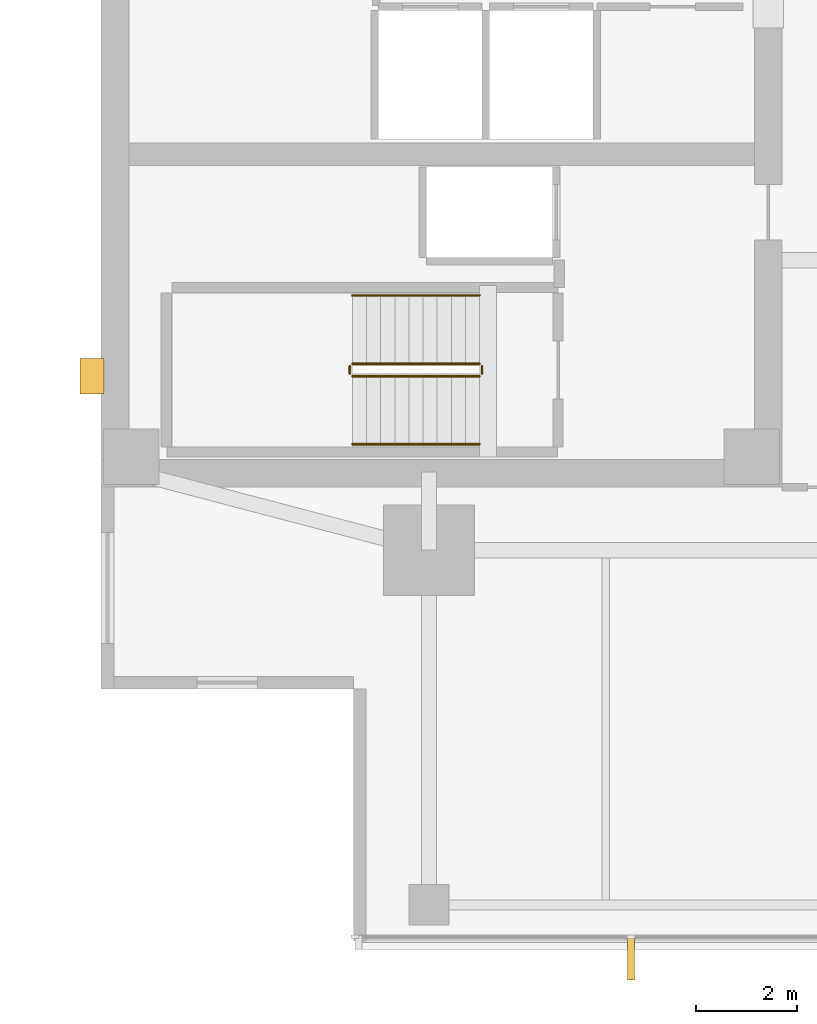
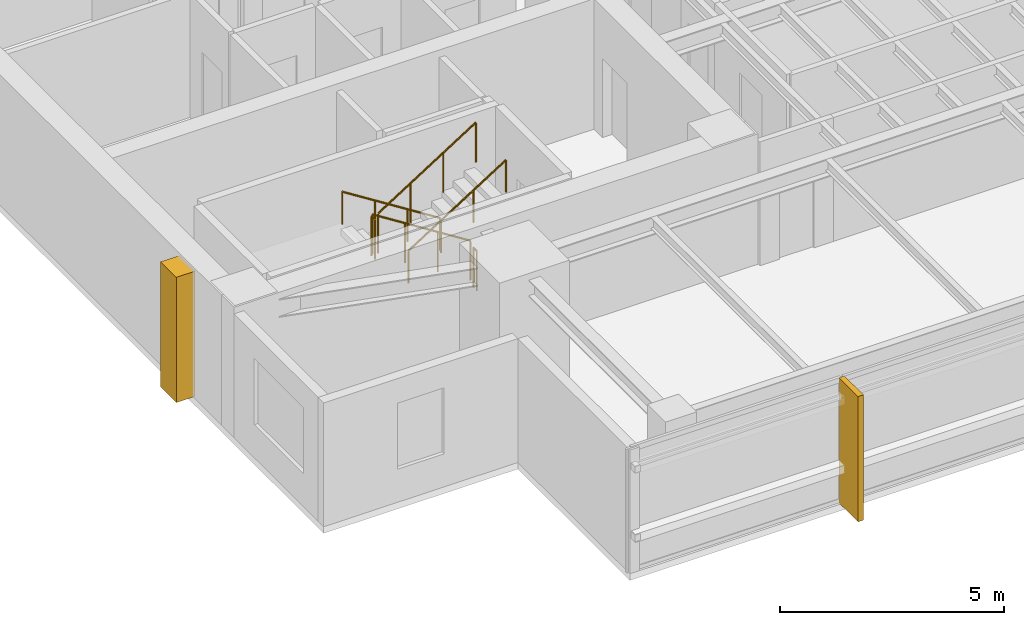
# One storey, part 11 of 15: 6 railings, 2 coverings.
"""IFC4 building model written with IfcOpenShell, lengths in metres."""

from ifc_helpers import new_model, si_unit, direction, frame, origin, origin_2d, place, context, subcontext, project, spatial, polyline, circle, outline, extrude, material, layer, layer_set, type_object, element, save


model = new_model("IFC4")

# Units and contexts
model_context = context("Model", 3, precision=1e-05, world=origin(), true_north=direction((0.0, 1.0)))
body_context = subcontext(model_context, "Body", "Model", "MODEL_VIEW")
ifc_project = project(units=[si_unit("LENGTHUNIT", "METRE"), si_unit("AREAUNIT", "SQUARE_METRE"), si_unit("VOLUMEUNIT", "CUBIC_METRE"), si_unit("PLANEANGLEUNIT", "RADIAN"), si_unit("MASSUNIT", "GRAM", prefix="KILO")], contexts=[model_context])

# Site, building, storey
site_placement = place(None, origin())
site = spatial("IfcSite", under=ifc_project, at=site_placement, CompositionType="ELEMENT")
building_placement = place(site_placement, origin())
building = spatial("IfcBuilding", under=site, at=building_placement, Name="Kinhvarn Gate Tower", CompositionType="ELEMENT")
storey_placement = place(building_placement, frame((0.0, 0.0, 220.0)))
storey = spatial("IfcBuildingStorey", under=building, at=storey_placement, Name="L58", CompositionType="ELEMENT", Elevation=220.0)

# Coverings
ifc_material_1 = material(Name="Fired architectural terracotta", Category="masonry")
ifc_layer_1 = layer(ifc_material_1, 0.139892578125)
ifc_layer_set_1 = layer_set([ifc_layer_1], Name="Fired architectural terracotta")
covering_type_1 = type_object("IfcCoveringType", Name="COV-FIN-850", PredefinedType="CLADDING", material=ifc_layer_set_1)
covering_1_placement = place(storey_placement, frame((0.0, 0.0, -0.02001953125)))
element("IfcCovering", 1, at=covering_1_placement, inside=storey, type_object=covering_type_1, Name="Vertical Terracotta Expressive Fin TFN-850 (L58)", PredefinedType="CLADDING", context=body_context, shape_type="SweptSolid", body=[
    extrude(outline(polyline([(14.929931640625, 5.080078125), (15.070068359375, 5.080078125), (15.070068359375, 4.22998046875), (14.929931640625, 4.22998046875), (14.929931640625, 5.080078125)])), origin(), (0.0, 0.0, 1.0), 3.409912109375),
])
ifc_material_2 = material(Name="Precast white architectural concrete C40/50", Category="concrete")
ifc_layer_2 = layer(ifc_material_2, 0.47998046875)
ifc_layer_set_2 = layer_set([ifc_layer_2], Name="Precast white architectural concrete C40/50")
covering_type_2 = type_object("IfcCoveringType", Name="COV-RIB-450", PredefinedType="CLADDING", material=ifc_layer_set_2)
covering_2_placement = place(storey_placement, frame((0.0, 0.0, -0.02001953125)))
element("IfcCovering", 2, at=covering_2_placement, inside=storey, type_object=covering_type_2, Name="West Core Sculptural Concrete Relief Rib CRB-450 (L58)", PredefinedType="CLADDING", context=body_context, shape_type="SweptSolid", body=[
    extrude(outline(polyline([(4.080078125, 15.85009765625), (4.56005859375, 15.85009765625), (4.56005859375, 16.550048828125), (4.080078125, 16.550048828125), (4.080078125, 15.85009765625)])), origin(), (0.0, 0.0, 1.0), 3.409912109375),
])

# Railings
ifc_material_3 = material(Name="Steel S355", Category="steel")
railing_type_1 = type_object("IfcRailingType", Name="RL-ST-GRD", PredefinedType="BALUSTRADE", material=ifc_material_3)
railing_1_placement = place(storey_placement, frame((12.0, 16.449951171875, 0.177490234375)))
element("IfcRailing", 3, at=railing_1_placement, inside=storey, type_object=railing_type_1, Name="L58 ST1 stair guard 1", PredefinedType="BALUSTRADE", context=body_context, shape_type="SweptSolid", body=[
    extrude(circle(Radius=0.02392578125, at=origin_2d()), frame((0.0, 0.0, 1.076171875), z_axis=(-0.84460694969, 0.0, 0.535386869969), x_axis=(0.0, -1.0, 0.0)), (0.0, 0.0, 1.0), 2.983642578125),
    extrude(circle(Radius=0.02099609375, at=origin_2d()), origin(), (0.0, 0.0, 1.0), 1.052001953125),
    extrude(circle(Radius=0.02099609375, at=origin_2d()), frame((-0.840087890625, 0.0, 0.532470703125)), (0.0, 0.0, 1.0), 1.052001953125),
    extrude(circle(Radius=0.02099609375, at=origin_2d()), frame((-1.679931640625, 0.0, 1.06494140625)), (0.0, 0.0, 1.0), 1.052001953125),
    extrude(circle(Radius=0.02099609375, at=origin_2d()), frame((-2.52001953125, 0.0, 1.597412109375)), (0.0, 0.0, 1.0), 1.052001953125),
])
railing_2_placement = place(storey_placement, frame((9.429931640625, 16.39990234375, 1.77490234375)))
element("IfcRailing", 4, at=railing_2_placement, inside=storey, type_object=railing_type_1, Name="L58 ST1 stair guard 2", PredefinedType="BALUSTRADE", context=body_context, shape_type="SweptSolid", body=[
    extrude(circle(Radius=0.02392578125, at=origin_2d()), frame((0.0, 0.0, 1.076171875), z_axis=(0.0, -1.0, 0.0), x_axis=(1.0, 0.0, 0.0)), (0.0, 0.0, 1.0), 0.14990234375),
    extrude(circle(Radius=0.02099609375, at=origin_2d()), origin(), (0.0, 0.0, 1.0), 1.052001953125),
    extrude(circle(Radius=0.02099609375, at=origin_2d()), frame((0.0, -0.14990234375, 0.0)), (0.0, 0.0, 1.0), 1.052001953125),
])
railing_3_placement = place(storey_placement, frame((9.47998046875, 16.199951171875, 1.952392578125)))
element("IfcRailing", 5, at=railing_3_placement, inside=storey, type_object=railing_type_1, Name="L58 ST1 stair guard 3", PredefinedType="BALUSTRADE", context=body_context, shape_type="SweptSolid", body=[
    extrude(circle(Radius=0.02392578125, at=origin_2d()), frame((0.0, 0.0, 1.076171875), z_axis=(0.84456994832, 0.0, 0.535445237532), x_axis=(0.0, 1.0, 0.0)), (0.0, 0.0, 1.0), 2.98388671875),
    extrude(circle(Radius=0.02099609375, at=origin_2d()), origin(), (0.0, 0.0, 1.0), 1.052001953125),
    extrude(circle(Radius=0.02099609375, at=origin_2d()), frame((0.840087890625, 0.0, 0.532470703125)), (0.0, 0.0, 1.0), 1.052001953125),
    extrude(circle(Radius=0.02099609375, at=origin_2d()), frame((1.679931640625, 0.0, 1.065185546875)), (0.0, 0.0, 1.0), 1.052001953125),
    extrude(circle(Radius=0.02099609375, at=origin_2d()), frame((2.52001953125, 0.0, 1.59765625)), (0.0, 0.0, 1.0), 1.052001953125),
])
railing_4_placement = place(storey_placement, frame((12.050048828125, 16.39990234375, 0.0)))
element("IfcRailing", 6, at=railing_4_placement, inside=storey, type_object=railing_type_1, Name="L58 ST1 stair guard 4", PredefinedType="BALUSTRADE", context=body_context, shape_type="SweptSolid", body=[
    extrude(circle(Radius=0.02392578125, at=origin_2d()), frame((0.0, 0.0, 1.076171875), z_axis=(0.0, -1.0, 0.0), x_axis=(1.0, 0.0, 0.0)), (0.0, 0.0, 1.0), 0.14990234375),
    extrude(circle(Radius=0.02099609375, at=origin_2d()), origin(), (0.0, 0.0, 1.0), 1.052001953125),
    extrude(circle(Radius=0.02099609375, at=origin_2d()), frame((0.0, -0.14990234375, 0.0)), (0.0, 0.0, 1.0), 1.052001953125),
])
railing_type_2 = type_object("IfcRailingType", Name="RL-ST-HND", PredefinedType="HANDRAIL", material=ifc_material_3)
railing_5_placement = place(storey_placement, frame((12.0, 17.800048828125, 0.177490234375)))
element("IfcRailing", 7, at=railing_5_placement, inside=storey, type_object=railing_type_2, Name="L58 ST1 stair handrail 1", PredefinedType="HANDRAIL", context=body_context, shape_type="SweptSolid", body=[
    extrude(circle(Radius=0.02392578125, at=origin_2d()), frame((0.0, 0.0, 0.8759765625), z_axis=(-0.84460694969, 0.0, 0.535386869969), x_axis=(0.0, -1.0, 0.0)), (0.0, 0.0, 1.0), 2.983642578125),
    extrude(circle(Radius=0.02099609375, at=origin_2d()), origin(), (0.0, 0.0, 1.0), 0.851806640625),
    extrude(circle(Radius=0.02099609375, at=origin_2d()), frame((-0.840087890625, 0.0, 0.532470703125)), (0.0, 0.0, 1.0), 0.851806640625),
    extrude(circle(Radius=0.02099609375, at=origin_2d()), frame((-1.679931640625, 0.0, 1.06494140625)), (0.0, 0.0, 1.0), 0.851806640625),
    extrude(circle(Radius=0.02099609375, at=origin_2d()), frame((-2.52001953125, 0.0, 1.597412109375)), (0.0, 0.0, 1.0), 0.851806640625),
])
railing_6_placement = place(storey_placement, frame((9.47998046875, 14.85009765625, 1.952392578125)))
element("IfcRailing", 8, at=railing_6_placement, inside=storey, type_object=railing_type_2, Name="L58 ST1 stair handrail 2", PredefinedType="HANDRAIL", context=body_context, shape_type="SweptSolid", body=[
    extrude(circle(Radius=0.02392578125, at=origin_2d()), frame((0.0, 0.0, 0.8759765625), z_axis=(0.84456994832, 0.0, 0.535445237532), x_axis=(0.0, 1.0, 0.0)), (0.0, 0.0, 1.0), 2.98388671875),
    extrude(circle(Radius=0.02099609375, at=origin_2d()), origin(), (0.0, 0.0, 1.0), 0.851806640625),
    extrude(circle(Radius=0.02099609375, at=origin_2d()), frame((0.840087890625, 0.0, 0.532470703125)), (0.0, 0.0, 1.0), 0.851806640625),
    extrude(circle(Radius=0.02099609375, at=origin_2d()), frame((1.679931640625, 0.0, 1.065185546875)), (0.0, 0.0, 1.0), 0.851806640625),
    extrude(circle(Radius=0.02099609375, at=origin_2d()), frame((2.52001953125, 0.0, 1.59765625)), (0.0, 0.0, 1.0), 0.851806640625),
])

save(model, "model.ifc")
